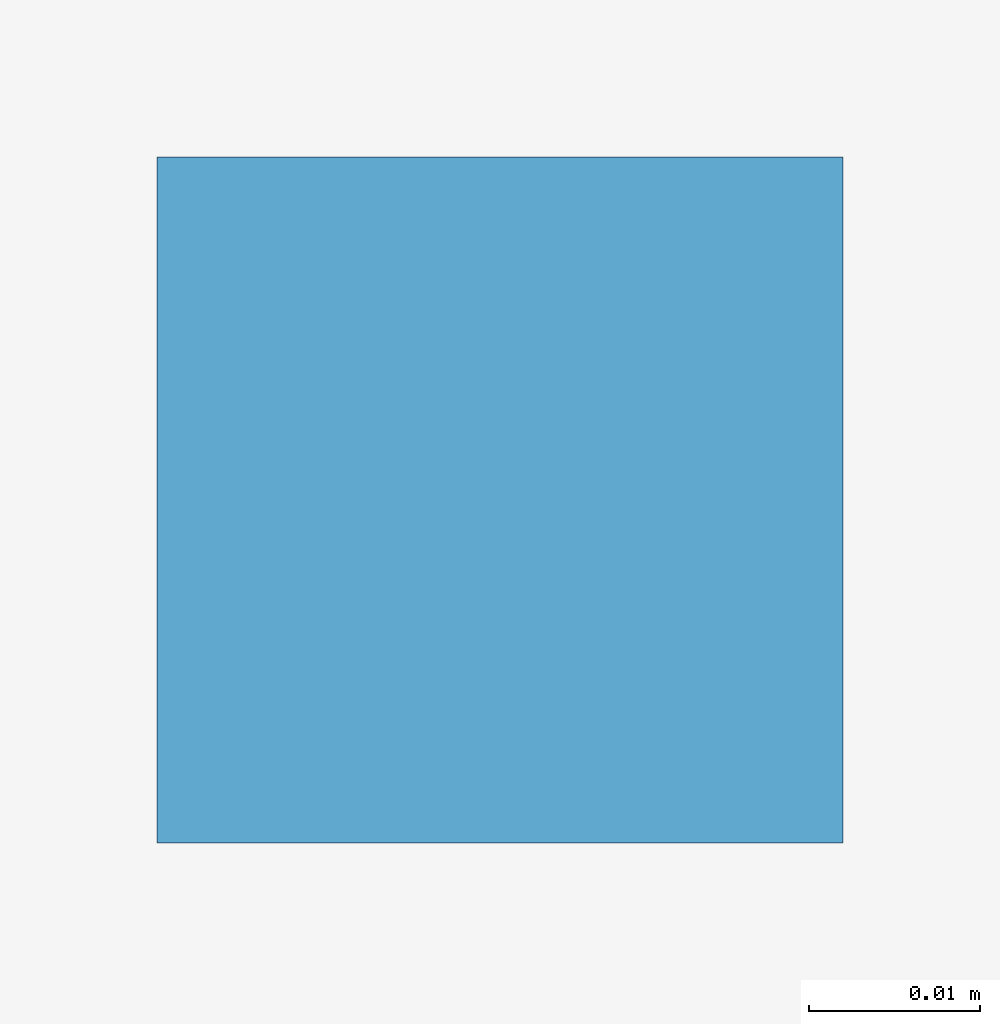
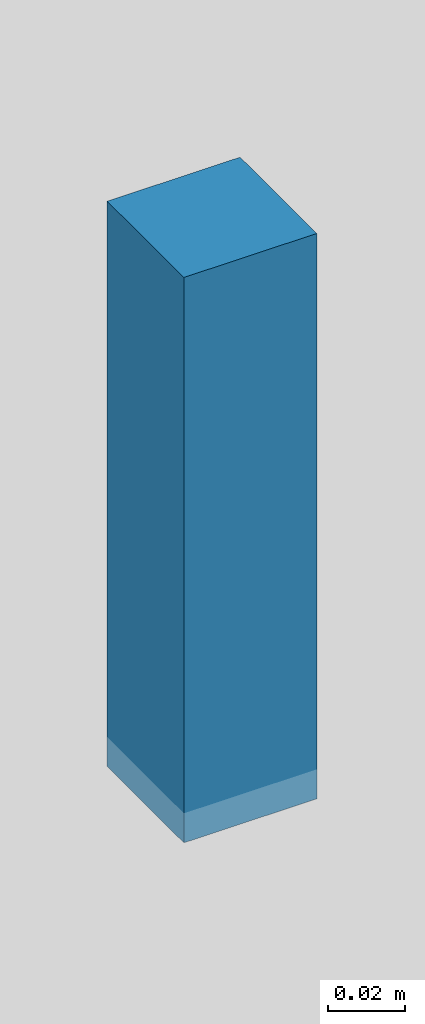
# One storey, part 65 of 85: 1 discrete accessory.
"""IFC4 building model written with IfcOpenShell, lengths in metres."""

from ifc_helpers import new_model, si_unit, direction, frame, origin, origin_2d, place, context, subcontext, project, spatial, rectangle, extrude, material, type_object, element, save


model = new_model("IFC4")

# Units and contexts
model_context = context("Model", 3, precision=1e-05, world=origin(), true_north=direction((0.0, 1.0)))
body_context = subcontext(model_context, "Body", "Model", "MODEL_VIEW")
ifc_project = project(units=[si_unit("LENGTHUNIT", "METRE"), si_unit("AREAUNIT", "SQUARE_METRE"), si_unit("VOLUMEUNIT", "CUBIC_METRE"), si_unit("PLANEANGLEUNIT", "RADIAN"), si_unit("MASSUNIT", "GRAM", prefix="KILO")], contexts=[model_context])

# Site, building, storey
site_placement = place(None, origin())
site = spatial("IfcSite", under=ifc_project, at=site_placement, CompositionType="ELEMENT")
building_placement = place(site_placement, origin())
building = spatial("IfcBuilding", under=site, at=building_placement, Name="Alvorim Cloister Faculty of Sciences", CompositionType="ELEMENT")
storey_placement = place(building_placement, frame((0.0, 0.0, 8.550048828125)))
storey = spatial("IfcBuildingStorey", under=building, at=storey_placement, Name="L02", CompositionType="ELEMENT", Elevation=8.550048828125)

# Discrete accessory
ifc_material = material(Name="Galvanised Painted Steel", Category="steel")
discrete_accessory_type = type_object("IfcDiscreteAccessoryType", Name="ACC-CEIL-ROD", PredefinedType="BRACKET", material=ifc_material)
discrete_accessory_placement = place(storey_placement, frame((97.75, 5.75, 3.22998046875), z_axis=(0.0, 0.0, 1.0), x_axis=(1.0, 0.0, 0.0)))
element("IfcDiscreteAccessory", 1, at=discrete_accessory_placement, inside=storey, type_object=discrete_accessory_type, Name="Ceiling Suspension Bracket ACC-ROD-020", PredefinedType="BRACKET", context=body_context, shape_type="SweptSolid", body=[
    extrude(rectangle(XDim=0.0400390625, YDim=0.0400390625, at=origin_2d()), origin(), (0.0, 0.0, 1.0), 0.179931640625),
])

save(model, "model.ifc")
